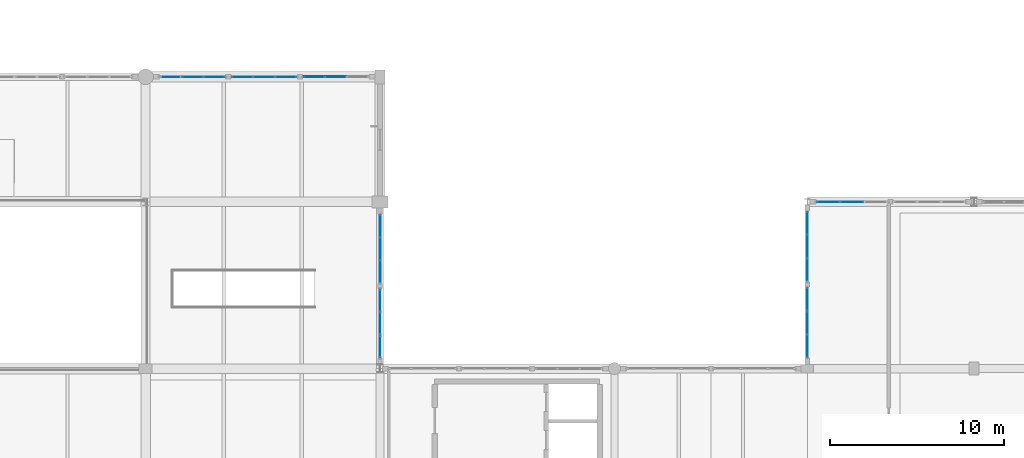
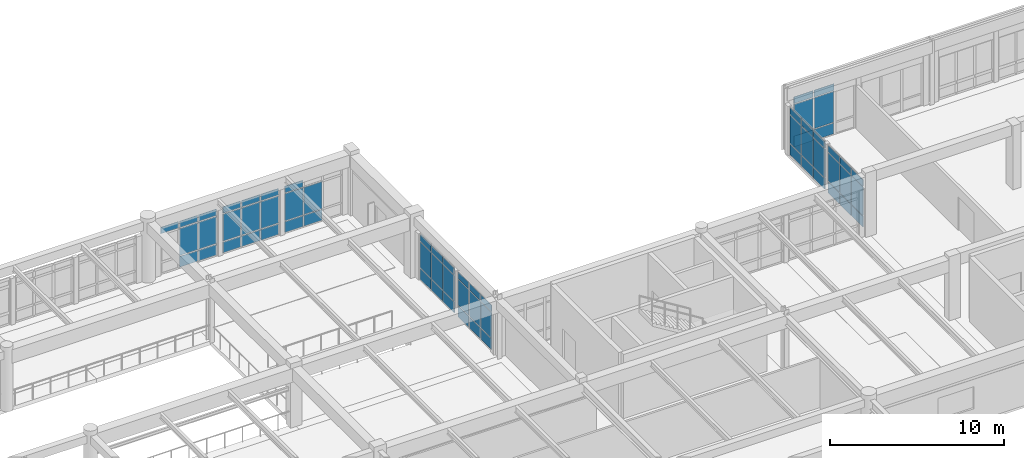
# One storey, part 55 of 80: 63 plates, 8 elements without a shape of their own.
"""IFC4 building model written with IfcOpenShell, lengths in metres."""

from ifc_helpers import new_model, si_unit, direction, frame, origin, origin_2d, place, context, subcontext, project, spatial, rectangle, extrude, material, layer, layer_set, type_object, element, aggregate, save


model = new_model("IFC4")

# Units and contexts
model_context = context("Model", 3, precision=1e-05, world=origin(), true_north=direction((0.0, 1.0)))
body_context = subcontext(model_context, "Body", "Model", "MODEL_VIEW")
ifc_project = project(units=[si_unit("LENGTHUNIT", "METRE"), si_unit("AREAUNIT", "SQUARE_METRE"), si_unit("VOLUMEUNIT", "CUBIC_METRE"), si_unit("PLANEANGLEUNIT", "RADIAN"), si_unit("MASSUNIT", "GRAM", prefix="KILO")], contexts=[model_context])

# Site, building, storey
site_placement = place(None, origin())
site = spatial("IfcSite", under=ifc_project, at=site_placement, CompositionType="ELEMENT")
building_placement = place(site_placement, origin())
building = spatial("IfcBuilding", under=site, at=building_placement, Name="Fikremerkos Civic Library", CompositionType="ELEMENT")
storey_placement = place(building_placement, frame((0.0, 0.0, 9.89990234375)))
storey = spatial("IfcBuildingStorey", under=building, at=storey_placement, Name="L02", CompositionType="ELEMENT", Elevation=9.89990234375)

# Curtain wall, plates
ifc_material_1 = material(Name="Anodized aluminium Frame", Category="aluminium")
ifc_layer_1 = layer(ifc_material_1, 0.159912109375, Name="Anodized aluminium Frame")
ifc_layer_set_1 = layer_set([ifc_layer_1], Name="Anodized aluminium Frame")
curtain_wall_type_1 = type_object("IfcCurtainWallType", Name="Unitised curtain wall CW-01 3600x3600", PredefinedType="USERDEFINED", material=ifc_layer_set_1)
curtain_wall_1_placement = place(storey_placement, origin())
curtain_wall_1 = element("IfcCurtainWall", 1, at=curtain_wall_1_placement, inside=storey, type_object=curtain_wall_type_1, Name="Unitised curtain wall CW-01 L02 #163", ObjectType="UNITISED CURTAIN WALL", PredefinedType="USERDEFINED")
ifc_material_2 = material(Name="Solar control double glazing", Category="glass")
ifc_layer_2 = layer(ifc_material_2, 0.028076171875, Name="Solar control double glazing")
ifc_layer_set_2 = layer_set([ifc_layer_2], Name="Solar control double glazing")
plate_type_1 = type_object("IfcPlateType", Name="Curtain glazing panel CWP-01 28", PredefinedType="CURTAIN_PANEL", material=ifc_layer_set_2)
plate_1_placement = place(storey_placement, frame((88.150634765625, 48.0, 2.84521484375), z_axis=(0.0, 0.0, 1.0), x_axis=(1.0, 0.0, 0.0)))
plate_1 = element("IfcPlate", 2, at=plate_1_placement, type_object=plate_type_1, Name="CW-01 panel 1.3", PredefinedType="CURTAIN_PANEL", context=body_context, shape_type="SweptSolid", body=[
    extrude(rectangle(XDim=1.175048828125, YDim=0.028076171875, at=origin_2d()), origin(), (0.0, 0.0, 1.0), 0.445068359375),
])
plate_2_placement = place(storey_placement, frame((89.406982421875, 48.0, 0.070068359375), z_axis=(0.0, 0.0, 1.0), x_axis=(1.0, 0.0, 0.0)))
plate_2 = element("IfcPlate", 3, at=plate_2_placement, type_object=plate_type_1, Name="CW-01 panel 2.1", PredefinedType="CURTAIN_PANEL", context=body_context, shape_type="SweptSolid", body=[
    extrude(rectangle(XDim=1.207763671875, YDim=0.028076171875, at=origin_2d()), origin(), (0.0, 0.0, 1.0), 0.7451171875),
])
plate_3_placement = place(storey_placement, frame((89.406982421875, 48.0, 0.88525390625), z_axis=(0.0, 0.0, 1.0), x_axis=(1.0, 0.0, 0.0)))
plate_3 = element("IfcPlate", 4, at=plate_3_placement, type_object=plate_type_1, Name="CW-01 panel 2.2", PredefinedType="CURTAIN_PANEL", context=body_context, shape_type="SweptSolid", body=[
    extrude(rectangle(XDim=1.207763671875, YDim=0.028076171875, at=origin_2d()), origin(), (0.0, 0.0, 1.0), 1.889892578125),
])
plate_4_placement = place(storey_placement, frame((89.406982421875, 48.0, 2.84521484375), z_axis=(0.0, 0.0, 1.0), x_axis=(1.0, 0.0, 0.0)))
plate_4 = element("IfcPlate", 5, at=plate_4_placement, type_object=plate_type_1, Name="CW-01 panel 2.3", PredefinedType="CURTAIN_PANEL", context=body_context, shape_type="SweptSolid", body=[
    extrude(rectangle(XDim=1.207763671875, YDim=0.028076171875, at=origin_2d()), origin(), (0.0, 0.0, 1.0), 0.445068359375),
])
plate_5_placement = place(storey_placement, frame((90.663330078125, 48.0, 0.070068359375), z_axis=(0.0, 0.0, 1.0), x_axis=(1.0, 0.0, 0.0)))
plate_5 = element("IfcPlate", 6, at=plate_5_placement, type_object=plate_type_1, Name="CW-01 panel 3.1", PredefinedType="CURTAIN_PANEL", context=body_context, shape_type="SweptSolid", body=[
    extrude(rectangle(XDim=1.175048828125, YDim=0.028076171875, at=origin_2d()), origin(), (0.0, 0.0, 1.0), 0.7451171875),
])
plate_6_placement = place(storey_placement, frame((90.663330078125, 48.0, 0.88525390625), z_axis=(0.0, 0.0, 1.0), x_axis=(1.0, 0.0, 0.0)))
plate_6 = element("IfcPlate", 7, at=plate_6_placement, type_object=plate_type_1, Name="CW-01 panel 3.2", PredefinedType="CURTAIN_PANEL", context=body_context, shape_type="SweptSolid", body=[
    extrude(rectangle(XDim=1.175048828125, YDim=0.028076171875, at=origin_2d()), origin(), (0.0, 0.0, 1.0), 1.889892578125),
])
plate_7_placement = place(storey_placement, frame((90.663330078125, 48.0, 2.84521484375), z_axis=(0.0, 0.0, 1.0), x_axis=(1.0, 0.0, 0.0)))
plate_7 = element("IfcPlate", 8, at=plate_7_placement, type_object=plate_type_1, Name="CW-01 panel 3.3", PredefinedType="CURTAIN_PANEL", context=body_context, shape_type="SweptSolid", body=[
    extrude(rectangle(XDim=1.175048828125, YDim=0.028076171875, at=origin_2d()), origin(), (0.0, 0.0, 1.0), 0.445068359375),
])
aggregate(curtain_wall_1, [plate_1, plate_2, plate_3, plate_4, plate_5, plate_6, plate_7])

ifc_layer_3 = layer(ifc_material_1, 0.159912109375, Name="Anodized aluminium Frame")
ifc_layer_set_3 = layer_set([ifc_layer_3], Name="Anodized aluminium Frame")
curtain_wall_type_2 = type_object("IfcCurtainWallType", Name="Unitised curtain wall CW-05 3800x4100", PredefinedType="USERDEFINED", material=ifc_layer_set_3)
curtain_wall_2_placement = place(storey_placement, origin())
curtain_wall_2 = element("IfcCurtainWall", 9, at=curtain_wall_2_placement, inside=storey, type_object=curtain_wall_type_2, Name="Unitised curtain wall CW-05 L02 #167", ObjectType="UNITISED CURTAIN WALL", PredefinedType="USERDEFINED")
plate_8_placement = place(storey_placement, frame((100.199951171875, 35.11669921875, 0.06005859375), z_axis=(0.0, 0.0, 1.0), x_axis=(0.0, -1.0, 0.0)))
plate_8 = element("IfcPlate", 10, at=plate_8_placement, type_object=plate_type_1, Name="CW-05 panel 1.1", PredefinedType="CURTAIN_PANEL", context=body_context, shape_type="SweptSolid", body=[
    extrude(rectangle(XDim=1.236572265625, YDim=0.028076171875, at=origin_2d()), origin(), (0.0, 0.0, 1.0), 0.760009765625),
])
plate_9_placement = place(storey_placement, frame((100.199951171875, 35.11669921875, 0.880126953125), z_axis=(0.0, 0.0, 1.0), x_axis=(0.0, -1.0, 0.0)))
plate_9 = element("IfcPlate", 11, at=plate_9_placement, type_object=plate_type_1, Name="CW-05 panel 1.2", PredefinedType="CURTAIN_PANEL", context=body_context, shape_type="SweptSolid", body=[
    extrude(rectangle(XDim=1.236572265625, YDim=0.028076171875, at=origin_2d()), origin(), (0.0, 0.0, 1.0), 1.7900390625),
])
plate_10_placement = place(storey_placement, frame((100.199951171875, 35.11669921875, 2.730224609375), z_axis=(0.0, 0.0, 1.0), x_axis=(0.0, -1.0, 0.0)))
plate_10 = element("IfcPlate", 12, at=plate_10_placement, type_object=plate_type_1, Name="CW-05 panel 1.3", PredefinedType="CURTAIN_PANEL", context=body_context, shape_type="SweptSolid", body=[
    extrude(rectangle(XDim=1.236572265625, YDim=0.028076171875, at=origin_2d()), origin(), (0.0, 0.0, 1.0), 0.4599609375),
])
plate_11_placement = place(storey_placement, frame((100.199951171875, 33.799072265625, 0.06005859375), z_axis=(0.0, 0.0, 1.0), x_axis=(0.0, -1.0, 0.0)))
plate_11 = element("IfcPlate", 13, at=plate_11_placement, type_object=plate_type_1, Name="CW-05 panel 2.1", PredefinedType="CURTAIN_PANEL", context=body_context, shape_type="SweptSolid", body=[
    extrude(rectangle(XDim=1.26904296875, YDim=0.028076171875, at=origin_2d()), origin(), (0.0, 0.0, 1.0), 0.760009765625),
])
plate_12_placement = place(storey_placement, frame((100.199951171875, 33.799072265625, 0.880126953125), z_axis=(0.0, 0.0, 1.0), x_axis=(0.0, -1.0, 0.0)))
plate_12 = element("IfcPlate", 14, at=plate_12_placement, type_object=plate_type_1, Name="CW-05 panel 2.2", PredefinedType="CURTAIN_PANEL", context=body_context, shape_type="SweptSolid", body=[
    extrude(rectangle(XDim=1.26904296875, YDim=0.028076171875, at=origin_2d()), origin(), (0.0, 0.0, 1.0), 1.7900390625),
])
plate_13_placement = place(storey_placement, frame((100.199951171875, 33.799072265625, 2.730224609375), z_axis=(0.0, 0.0, 1.0), x_axis=(0.0, -1.0, 0.0)))
plate_13 = element("IfcPlate", 15, at=plate_13_placement, type_object=plate_type_1, Name="CW-05 panel 2.3", PredefinedType="CURTAIN_PANEL", context=body_context, shape_type="SweptSolid", body=[
    extrude(rectangle(XDim=1.26904296875, YDim=0.028076171875, at=origin_2d()), origin(), (0.0, 0.0, 1.0), 0.4599609375),
])
plate_14_placement = place(storey_placement, frame((100.199951171875, 32.481201171875, 0.06005859375), z_axis=(0.0, 0.0, 1.0), x_axis=(0.0, -1.0, 0.0)))
plate_14 = element("IfcPlate", 16, at=plate_14_placement, type_object=plate_type_1, Name="CW-05 panel 3.1", PredefinedType="CURTAIN_PANEL", context=body_context, shape_type="SweptSolid", body=[
    extrude(rectangle(XDim=1.236572265625, YDim=0.028076171875, at=origin_2d()), origin(), (0.0, 0.0, 1.0), 0.760009765625),
])
plate_15_placement = place(storey_placement, frame((100.199951171875, 32.481201171875, 0.880126953125), z_axis=(0.0, 0.0, 1.0), x_axis=(0.0, -1.0, 0.0)))
plate_15 = element("IfcPlate", 17, at=plate_15_placement, type_object=plate_type_1, Name="CW-05 panel 3.2", PredefinedType="CURTAIN_PANEL", context=body_context, shape_type="SweptSolid", body=[
    extrude(rectangle(XDim=1.236572265625, YDim=0.028076171875, at=origin_2d()), origin(), (0.0, 0.0, 1.0), 1.7900390625),
])
plate_16_placement = place(storey_placement, frame((100.199951171875, 32.481201171875, 2.730224609375), z_axis=(0.0, 0.0, 1.0), x_axis=(0.0, -1.0, 0.0)))
plate_16 = element("IfcPlate", 18, at=plate_16_placement, type_object=plate_type_1, Name="CW-05 panel 3.3", PredefinedType="CURTAIN_PANEL", context=body_context, shape_type="SweptSolid", body=[
    extrude(rectangle(XDim=1.236572265625, YDim=0.028076171875, at=origin_2d()), origin(), (0.0, 0.0, 1.0), 0.4599609375),
])
aggregate(curtain_wall_2, [plate_8, plate_9, plate_10, plate_11, plate_12, plate_13, plate_14, plate_15, plate_16])

ifc_layer_4 = layer(ifc_material_1, 0.159912109375, Name="Anodized aluminium Frame")
ifc_layer_set_4 = layer_set([ifc_layer_4], Name="Anodized aluminium Frame")
curtain_wall_type_3 = type_object("IfcCurtainWallType", Name="Unitised curtain wall CW-13 3700x3200", PredefinedType="USERDEFINED", material=ifc_layer_set_4)
curtain_wall_3_placement = place(storey_placement, origin())
curtain_wall_3 = element("IfcCurtainWall", 19, at=curtain_wall_3_placement, inside=storey, type_object=curtain_wall_type_3, Name="Unitised curtain wall CW-13 L02 #175", ObjectType="UNITISED CURTAIN WALL", PredefinedType="USERDEFINED")
plate_17_placement = place(storey_placement, frame((126.00634765625, 40.800048828125, 0.06005859375), z_axis=(0.0, 0.0, 1.0), x_axis=(1.0, 0.0, 0.0)))
plate_17 = element("IfcPlate", 20, at=plate_17_placement, type_object=plate_type_1, Name="CW-13 panel 1.1", PredefinedType="CURTAIN_PANEL", context=body_context, shape_type="SweptSolid", body=[
    extrude(rectangle(XDim=1.28662109375, YDim=0.028076171875, at=origin_2d()), origin(), (0.0, 0.0, 1.0), 0.760009765625),
])
plate_18_placement = place(storey_placement, frame((126.00634765625, 40.800048828125, 0.88037109375), z_axis=(0.0, 0.0, 1.0), x_axis=(1.0, 0.0, 0.0)))
plate_18 = element("IfcPlate", 21, at=plate_18_placement, type_object=plate_type_1, Name="CW-13 panel 1.2", PredefinedType="CURTAIN_PANEL", context=body_context, shape_type="SweptSolid", body=[
    extrude(rectangle(XDim=1.28662109375, YDim=0.028076171875, at=origin_2d()), origin(), (0.0, 0.0, 1.0), 2.159912109375),
])
plate_19_placement = place(storey_placement, frame((126.00634765625, 40.800048828125, 3.10009765625), z_axis=(0.0, 0.0, 1.0), x_axis=(1.0, 0.0, 0.0)))
plate_19 = element("IfcPlate", 22, at=plate_19_placement, type_object=plate_type_1, Name="CW-13 panel 1.3", PredefinedType="CURTAIN_PANEL", context=body_context, shape_type="SweptSolid", body=[
    extrude(rectangle(XDim=1.28662109375, YDim=0.028076171875, at=origin_2d()), origin(), (0.0, 0.0, 1.0), 0.4599609375),
])
plate_20_placement = place(storey_placement, frame((127.3740234375, 40.800048828125, 0.06005859375), z_axis=(0.0, 0.0, 1.0), x_axis=(1.0, 0.0, 0.0)))
plate_20 = element("IfcPlate", 23, at=plate_20_placement, type_object=plate_type_1, Name="CW-13 panel 2.1", PredefinedType="CURTAIN_PANEL", context=body_context, shape_type="SweptSolid", body=[
    extrude(rectangle(XDim=1.319091796875, YDim=0.028076171875, at=origin_2d()), origin(), (0.0, 0.0, 1.0), 0.760009765625),
])
plate_21_placement = place(storey_placement, frame((127.3740234375, 40.800048828125, 0.88037109375), z_axis=(0.0, 0.0, 1.0), x_axis=(1.0, 0.0, 0.0)))
plate_21 = element("IfcPlate", 24, at=plate_21_placement, type_object=plate_type_1, Name="CW-13 panel 2.2", PredefinedType="CURTAIN_PANEL", context=body_context, shape_type="SweptSolid", body=[
    extrude(rectangle(XDim=1.319091796875, YDim=0.028076171875, at=origin_2d()), origin(), (0.0, 0.0, 1.0), 2.159912109375),
])
plate_22_placement = place(storey_placement, frame((127.3740234375, 40.800048828125, 3.10009765625), z_axis=(0.0, 0.0, 1.0), x_axis=(1.0, 0.0, 0.0)))
plate_22 = element("IfcPlate", 25, at=plate_22_placement, type_object=plate_type_1, Name="CW-13 panel 2.3", PredefinedType="CURTAIN_PANEL", context=body_context, shape_type="SweptSolid", body=[
    extrude(rectangle(XDim=1.319091796875, YDim=0.028076171875, at=origin_2d()), origin(), (0.0, 0.0, 1.0), 0.4599609375),
])
aggregate(curtain_wall_3, [plate_17, plate_18, plate_19, plate_20, plate_21, plate_22])

ifc_layer_5 = layer(ifc_material_1, 0.159912109375, Name="Anodized aluminium Frame")
ifc_layer_set_5 = layer_set([ifc_layer_5], Name="Anodized aluminium Frame")
curtain_wall_type_4 = type_object("IfcCurtainWallType", Name="Unitised curtain wall CW-02 3900x3600", PredefinedType="USERDEFINED", material=ifc_layer_set_5)
curtain_wall_4_placement = place(storey_placement, origin())
curtain_wall_4 = element("IfcCurtainWall", 26, at=curtain_wall_4_placement, inside=storey, type_object=curtain_wall_type_4, Name="Unitised curtain wall CW-02 L02 #164", ObjectType="UNITISED CURTAIN WALL", PredefinedType="USERDEFINED")
ifc_layer_6 = layer(ifc_material_2, 0.035888671875, Name="Solar control double glazing")
ifc_layer_set_6 = layer_set([ifc_layer_6], Name="Solar control double glazing")
plate_type_2 = type_object("IfcPlateType", Name="Curtain glazing panel CWP-02 36", PredefinedType="CURTAIN_PANEL", material=ifc_layer_set_6)
plate_23_placement = place(storey_placement, frame((92.267333984375, 48.0, 0.070068359375), z_axis=(0.0, 0.0, 1.0), x_axis=(1.0, 0.0, 0.0)))
plate_23 = element("IfcPlate", 27, at=plate_23_placement, type_object=plate_type_2, Name="CW-02 panel 1.1", PredefinedType="CURTAIN_PANEL", context=body_context, shape_type="SweptSolid", body=[
    extrude(rectangle(XDim=1.1826171875, YDim=0.035888671875, at=origin_2d()), origin(), (0.0, 0.0, 1.0), 0.7451171875),
])
plate_24_placement = place(storey_placement, frame((92.267333984375, 48.0, 0.88525390625), z_axis=(0.0, 0.0, 1.0), x_axis=(1.0, 0.0, 0.0)))
plate_24 = element("IfcPlate", 28, at=plate_24_placement, type_object=plate_type_2, Name="CW-02 panel 1.2", PredefinedType="CURTAIN_PANEL", context=body_context, shape_type="SweptSolid", body=[
    extrude(rectangle(XDim=1.1826171875, YDim=0.035888671875, at=origin_2d()), origin(), (0.0, 0.0, 1.0), 1.889892578125),
])
plate_25_placement = place(storey_placement, frame((92.267333984375, 48.0, 2.84521484375), z_axis=(0.0, 0.0, 1.0), x_axis=(1.0, 0.0, 0.0)))
plate_25 = element("IfcPlate", 29, at=plate_25_placement, type_object=plate_type_2, Name="CW-02 panel 1.3", PredefinedType="CURTAIN_PANEL", context=body_context, shape_type="SweptSolid", body=[
    extrude(rectangle(XDim=1.1826171875, YDim=0.035888671875, at=origin_2d()), origin(), (0.0, 0.0, 1.0), 0.445068359375),
])
plate_26_placement = place(storey_placement, frame((93.52490234375, 48.0, 0.070068359375), z_axis=(0.0, 0.0, 1.0), x_axis=(1.0, 0.0, 0.0)))
plate_26 = element("IfcPlate", 30, at=plate_26_placement, type_object=plate_type_2, Name="CW-02 panel 2.1", PredefinedType="CURTAIN_PANEL", context=body_context, shape_type="SweptSolid", body=[
    extrude(rectangle(XDim=1.212646484375, YDim=0.035888671875, at=origin_2d()), origin(), (0.0, 0.0, 1.0), 0.7451171875),
])
plate_27_placement = place(storey_placement, frame((93.52490234375, 48.0, 0.88525390625), z_axis=(0.0, 0.0, 1.0), x_axis=(1.0, 0.0, 0.0)))
plate_27 = element("IfcPlate", 31, at=plate_27_placement, type_object=plate_type_2, Name="CW-02 panel 2.2", PredefinedType="CURTAIN_PANEL", context=body_context, shape_type="SweptSolid", body=[
    extrude(rectangle(XDim=1.212646484375, YDim=0.035888671875, at=origin_2d()), origin(), (0.0, 0.0, 1.0), 1.889892578125),
])
plate_28_placement = place(storey_placement, frame((93.52490234375, 48.0, 2.84521484375), z_axis=(0.0, 0.0, 1.0), x_axis=(1.0, 0.0, 0.0)))
plate_28 = element("IfcPlate", 32, at=plate_28_placement, type_object=plate_type_2, Name="CW-02 panel 2.3", PredefinedType="CURTAIN_PANEL", context=body_context, shape_type="SweptSolid", body=[
    extrude(rectangle(XDim=1.212646484375, YDim=0.035888671875, at=origin_2d()), origin(), (0.0, 0.0, 1.0), 0.445068359375),
])
plate_29_placement = place(storey_placement, frame((94.78271484375, 48.0, 0.070068359375), z_axis=(0.0, 0.0, 1.0), x_axis=(1.0, 0.0, 0.0)))
plate_29 = element("IfcPlate", 33, at=plate_29_placement, type_object=plate_type_2, Name="CW-02 panel 3.1", PredefinedType="CURTAIN_PANEL", context=body_context, shape_type="SweptSolid", body=[
    extrude(rectangle(XDim=1.1826171875, YDim=0.035888671875, at=origin_2d()), origin(), (0.0, 0.0, 1.0), 0.7451171875),
])
plate_30_placement = place(storey_placement, frame((94.78271484375, 48.0, 0.88525390625), z_axis=(0.0, 0.0, 1.0), x_axis=(1.0, 0.0, 0.0)))
plate_30 = element("IfcPlate", 34, at=plate_30_placement, type_object=plate_type_2, Name="CW-02 panel 3.2", PredefinedType="CURTAIN_PANEL", context=body_context, shape_type="SweptSolid", body=[
    extrude(rectangle(XDim=1.1826171875, YDim=0.035888671875, at=origin_2d()), origin(), (0.0, 0.0, 1.0), 1.889892578125),
])
plate_31_placement = place(storey_placement, frame((94.78271484375, 48.0, 2.84521484375), z_axis=(0.0, 0.0, 1.0), x_axis=(1.0, 0.0, 0.0)))
plate_31 = element("IfcPlate", 35, at=plate_31_placement, type_object=plate_type_2, Name="CW-02 panel 3.3", PredefinedType="CURTAIN_PANEL", context=body_context, shape_type="SweptSolid", body=[
    extrude(rectangle(XDim=1.1826171875, YDim=0.035888671875, at=origin_2d()), origin(), (0.0, 0.0, 1.0), 0.445068359375),
])
aggregate(curtain_wall_4, [plate_23, plate_24, plate_25, plate_26, plate_27, plate_28, plate_29, plate_30, plate_31])

ifc_layer_7 = layer(ifc_material_1, 0.159912109375, Name="Anodized aluminium Frame")
ifc_layer_set_7 = layer_set([ifc_layer_7], Name="Anodized aluminium Frame")
curtain_wall_type_5 = type_object("IfcCurtainWallType", Name="Unitised curtain wall CW-03 4100x3600", PredefinedType="USERDEFINED", material=ifc_layer_set_7)
curtain_wall_5_placement = place(storey_placement, origin())
curtain_wall_5 = element("IfcCurtainWall", 36, at=curtain_wall_5_placement, inside=storey, type_object=curtain_wall_type_5, Name="Unitised curtain wall CW-03 L02 #165", ObjectType="UNITISED CURTAIN WALL", PredefinedType="USERDEFINED")
ifc_material_3 = material(Name="Insulated aluminium spandrel", Category="aluminium")
ifc_layer_8 = layer(ifc_material_3, 0.044921875, Name="Insulated aluminium spandrel")
ifc_layer_set_8 = layer_set([ifc_layer_8], Name="Insulated aluminium spandrel")
plate_type_3 = type_object("IfcPlateType", Name="Curtain spandrel panel CSP-01 45", PredefinedType="CURTAIN_PANEL", material=ifc_layer_set_8)
plate_32_placement = place(storey_placement, frame((96.38525390625, 48.0, 0.065185546875), z_axis=(0.0, 0.0, 1.0), x_axis=(1.0, 0.0, 0.0)))
plate_32 = element("IfcPlate", 37, at=plate_32_placement, type_object=plate_type_3, Name="CW-03 panel 1.1", PredefinedType="CURTAIN_PANEL", context=body_context, shape_type="SweptSolid", body=[
    extrude(rectangle(XDim=1.1826171875, YDim=0.044921875, at=origin_2d()), origin(), (0.0, 0.0, 1.0), 0.75244140625),
])
plate_33_placement = place(storey_placement, frame((96.38525390625, 48.0, 0.882568359375), z_axis=(0.0, 0.0, 1.0), x_axis=(1.0, 0.0, 0.0)))
plate_33 = element("IfcPlate", 38, at=plate_33_placement, type_object=plate_type_3, Name="CW-03 panel 1.2", PredefinedType="CURTAIN_PANEL", context=body_context, shape_type="SweptSolid", body=[
    extrude(rectangle(XDim=1.1826171875, YDim=0.044921875, at=origin_2d()), origin(), (0.0, 0.0, 1.0), 1.89501953125),
])
plate_34_placement = place(storey_placement, frame((96.38525390625, 48.0, 2.8427734375), z_axis=(0.0, 0.0, 1.0), x_axis=(1.0, 0.0, 0.0)))
plate_34 = element("IfcPlate", 39, at=plate_34_placement, type_object=plate_type_3, Name="CW-03 panel 1.3", PredefinedType="CURTAIN_PANEL", context=body_context, shape_type="SweptSolid", body=[
    extrude(rectangle(XDim=1.1826171875, YDim=0.044921875, at=origin_2d()), origin(), (0.0, 0.0, 1.0), 0.452392578125),
])
plate_35_placement = place(storey_placement, frame((97.64306640625, 48.0, 0.065185546875), z_axis=(0.0, 0.0, 1.0), x_axis=(1.0, 0.0, 0.0)))
plate_35 = element("IfcPlate", 40, at=plate_35_placement, type_object=plate_type_3, Name="CW-03 panel 2.1", PredefinedType="CURTAIN_PANEL", context=body_context, shape_type="SweptSolid", body=[
    extrude(rectangle(XDim=1.212646484375, YDim=0.044921875, at=origin_2d()), origin(), (0.0, 0.0, 1.0), 0.75244140625),
])
plate_36_placement = place(storey_placement, frame((97.64306640625, 48.0, 0.882568359375), z_axis=(0.0, 0.0, 1.0), x_axis=(1.0, 0.0, 0.0)))
plate_36 = element("IfcPlate", 41, at=plate_36_placement, type_object=plate_type_3, Name="CW-03 panel 2.2", PredefinedType="CURTAIN_PANEL", context=body_context, shape_type="SweptSolid", body=[
    extrude(rectangle(XDim=1.212646484375, YDim=0.044921875, at=origin_2d()), origin(), (0.0, 0.0, 1.0), 1.89501953125),
])
aggregate(curtain_wall_5, [plate_32, plate_33, plate_34, plate_35, plate_36])

ifc_layer_9 = layer(ifc_material_1, 0.159912109375, Name="Anodized aluminium Frame")
ifc_layer_set_9 = layer_set([ifc_layer_9], Name="Anodized aluminium Frame")
curtain_wall_type_6 = type_object("IfcCurtainWallType", Name="Unitised curtain wall CW-11 3200x3400", PredefinedType="USERDEFINED", material=ifc_layer_set_9)
curtain_wall_6_placement = place(storey_placement, origin())
curtain_wall_6 = element("IfcCurtainWall", 42, at=curtain_wall_6_placement, inside=storey, type_object=curtain_wall_type_6, Name="Unitised curtain wall CW-11 L02 #173", ObjectType="UNITISED CURTAIN WALL", PredefinedType="USERDEFINED")
plate_37_placement = place(storey_placement, frame((124.800048828125, 32.494140625, 0.065185546875), z_axis=(0.0, 0.0, 1.0), x_axis=(0.0, 1.0, 0.0)))
plate_37 = element("IfcPlate", 43, at=plate_37_placement, type_object=plate_type_3, Name="CW-11 panel 1.1", PredefinedType="CURTAIN_PANEL", context=body_context, shape_type="SweptSolid", body=[
    extrude(rectangle(XDim=1.272216796875, YDim=0.044921875, at=origin_2d()), origin(), (0.0, 0.0, 1.0), 0.75244140625),
])
plate_38_placement = place(storey_placement, frame((124.800048828125, 32.494140625, 0.88232421875), z_axis=(0.0, 0.0, 1.0), x_axis=(0.0, 1.0, 0.0)))
plate_38 = element("IfcPlate", 44, at=plate_38_placement, type_object=plate_type_3, Name="CW-11 panel 1.2", PredefinedType="CURTAIN_PANEL", context=body_context, shape_type="SweptSolid", body=[
    extrude(rectangle(XDim=1.272216796875, YDim=0.044921875, at=origin_2d()), origin(), (0.0, 0.0, 1.0), 1.985107421875),
])
plate_39_placement = place(storey_placement, frame((124.800048828125, 32.494140625, 2.9326171875), z_axis=(0.0, 0.0, 1.0), x_axis=(0.0, 1.0, 0.0)))
plate_39 = element("IfcPlate", 45, at=plate_39_placement, type_object=plate_type_3, Name="CW-11 panel 1.3", PredefinedType="CURTAIN_PANEL", context=body_context, shape_type="SweptSolid", body=[
    extrude(rectangle(XDim=1.272216796875, YDim=0.044921875, at=origin_2d()), origin(), (0.0, 0.0, 1.0), 0.452392578125),
])
plate_40_placement = place(storey_placement, frame((124.800048828125, 33.841552734375, 0.065185546875), z_axis=(0.0, 0.0, 1.0), x_axis=(0.0, 1.0, 0.0)))
plate_40 = element("IfcPlate", 46, at=plate_40_placement, type_object=plate_type_3, Name="CW-11 panel 2.1", PredefinedType="CURTAIN_PANEL", context=body_context, shape_type="SweptSolid", body=[
    extrude(rectangle(XDim=1.30224609375, YDim=0.044921875, at=origin_2d()), origin(), (0.0, 0.0, 1.0), 0.75244140625),
])
plate_41_placement = place(storey_placement, frame((124.800048828125, 33.841552734375, 0.88232421875), z_axis=(0.0, 0.0, 1.0), x_axis=(0.0, 1.0, 0.0)))
plate_41 = element("IfcPlate", 47, at=plate_41_placement, type_object=plate_type_3, Name="CW-11 panel 2.2", PredefinedType="CURTAIN_PANEL", context=body_context, shape_type="SweptSolid", body=[
    extrude(rectangle(XDim=1.30224609375, YDim=0.044921875, at=origin_2d()), origin(), (0.0, 0.0, 1.0), 1.985107421875),
])
plate_42_placement = place(storey_placement, frame((124.800048828125, 33.841552734375, 2.9326171875), z_axis=(0.0, 0.0, 1.0), x_axis=(0.0, 1.0, 0.0)))
plate_42 = element("IfcPlate", 48, at=plate_42_placement, type_object=plate_type_3, Name="CW-11 panel 2.3", PredefinedType="CURTAIN_PANEL", context=body_context, shape_type="SweptSolid", body=[
    extrude(rectangle(XDim=1.30224609375, YDim=0.044921875, at=origin_2d()), origin(), (0.0, 0.0, 1.0), 0.452392578125),
])
plate_43_placement = place(storey_placement, frame((124.800048828125, 35.188720703125, 0.065185546875), z_axis=(0.0, 0.0, 1.0), x_axis=(0.0, 1.0, 0.0)))
plate_43 = element("IfcPlate", 49, at=plate_43_placement, type_object=plate_type_3, Name="CW-11 panel 3.1", PredefinedType="CURTAIN_PANEL", context=body_context, shape_type="SweptSolid", body=[
    extrude(rectangle(XDim=1.272216796875, YDim=0.044921875, at=origin_2d()), origin(), (0.0, 0.0, 1.0), 0.75244140625),
])
plate_44_placement = place(storey_placement, frame((124.800048828125, 35.188720703125, 0.88232421875), z_axis=(0.0, 0.0, 1.0), x_axis=(0.0, 1.0, 0.0)))
plate_44 = element("IfcPlate", 50, at=plate_44_placement, type_object=plate_type_3, Name="CW-11 panel 3.2", PredefinedType="CURTAIN_PANEL", context=body_context, shape_type="SweptSolid", body=[
    extrude(rectangle(XDim=1.272216796875, YDim=0.044921875, at=origin_2d()), origin(), (0.0, 0.0, 1.0), 1.985107421875),
])
plate_45_placement = place(storey_placement, frame((124.800048828125, 35.188720703125, 2.9326171875), z_axis=(0.0, 0.0, 1.0), x_axis=(0.0, 1.0, 0.0)))
plate_45 = element("IfcPlate", 51, at=plate_45_placement, type_object=plate_type_3, Name="CW-11 panel 3.3", PredefinedType="CURTAIN_PANEL", context=body_context, shape_type="SweptSolid", body=[
    extrude(rectangle(XDim=1.272216796875, YDim=0.044921875, at=origin_2d()), origin(), (0.0, 0.0, 1.0), 0.452392578125),
])
aggregate(curtain_wall_6, [plate_37, plate_38, plate_39, plate_40, plate_41, plate_42, plate_43, plate_44, plate_45])

ifc_layer_10 = layer(ifc_material_1, 0.159912109375, Name="Anodized aluminium Frame")
ifc_layer_set_10 = layer_set([ifc_layer_10], Name="Anodized aluminium Frame")
curtain_wall_type_7 = type_object("IfcCurtainWallType", Name="Unitised curtain wall CW-04 3400x3600", PredefinedType="USERDEFINED", material=ifc_layer_set_10)
curtain_wall_7_placement = place(storey_placement, origin())
curtain_wall_7 = element("IfcCurtainWall", 52, at=curtain_wall_7_placement, inside=storey, type_object=curtain_wall_type_7, Name="Unitised curtain wall CW-04 L02 #166", ObjectType="UNITISED CURTAIN WALL", PredefinedType="USERDEFINED")
ifc_layer_11 = layer(ifc_material_3, 0.054931640625, Name="Insulated aluminium spandrel")
ifc_layer_set_11 = layer_set([ifc_layer_11], Name="Insulated aluminium spandrel")
plate_type_4 = type_object("IfcPlateType", Name="Curtain spandrel panel CSP-02 55", PredefinedType="CURTAIN_PANEL", material=ifc_layer_set_11)
plate_46_placement = place(storey_placement, frame((100.199951171875, 39.419921875, 0.065185546875), z_axis=(0.0, 0.0, 1.0), x_axis=(0.0, -1.0, 0.0)))
plate_46 = element("IfcPlate", 53, at=plate_46_placement, type_object=plate_type_4, Name="CW-04 panel 1.1", PredefinedType="CURTAIN_PANEL", context=body_context, shape_type="SweptSolid", body=[
    extrude(rectangle(XDim=1.243896484375, YDim=0.054931640625, at=origin_2d()), origin(), (0.0, 0.0, 1.0), 0.75244140625),
])
plate_47_placement = place(storey_placement, frame((100.199951171875, 39.419921875, 0.8828125), z_axis=(0.0, 0.0, 1.0), x_axis=(0.0, -1.0, 0.0)))
plate_47 = element("IfcPlate", 54, at=plate_47_placement, type_object=plate_type_4, Name="CW-04 panel 1.2", PredefinedType="CURTAIN_PANEL", context=body_context, shape_type="SweptSolid", body=[
    extrude(rectangle(XDim=1.243896484375, YDim=0.054931640625, at=origin_2d()), origin(), (0.0, 0.0, 1.0), 1.784912109375),
])
plate_48_placement = place(storey_placement, frame((100.199951171875, 39.419921875, 2.732421875), z_axis=(0.0, 0.0, 1.0), x_axis=(0.0, -1.0, 0.0)))
plate_48 = element("IfcPlate", 55, at=plate_48_placement, type_object=plate_type_4, Name="CW-04 panel 1.3", PredefinedType="CURTAIN_PANEL", context=body_context, shape_type="SweptSolid", body=[
    extrude(rectangle(XDim=1.243896484375, YDim=0.054931640625, at=origin_2d()), origin(), (0.0, 0.0, 1.0), 0.452392578125),
])
plate_49_placement = place(storey_placement, frame((100.199951171875, 38.10107421875, 0.065185546875), z_axis=(0.0, 0.0, 1.0), x_axis=(0.0, -1.0, 0.0)))
plate_49 = element("IfcPlate", 56, at=plate_49_placement, type_object=plate_type_4, Name="CW-04 panel 2.1", PredefinedType="CURTAIN_PANEL", context=body_context, shape_type="SweptSolid", body=[
    extrude(rectangle(XDim=1.27392578125, YDim=0.054931640625, at=origin_2d()), origin(), (0.0, 0.0, 1.0), 0.75244140625),
])
plate_50_placement = place(storey_placement, frame((100.199951171875, 38.10107421875, 0.8828125), z_axis=(0.0, 0.0, 1.0), x_axis=(0.0, -1.0, 0.0)))
plate_50 = element("IfcPlate", 57, at=plate_50_placement, type_object=plate_type_4, Name="CW-04 panel 2.2", PredefinedType="CURTAIN_PANEL", context=body_context, shape_type="SweptSolid", body=[
    extrude(rectangle(XDim=1.27392578125, YDim=0.054931640625, at=origin_2d()), origin(), (0.0, 0.0, 1.0), 1.784912109375),
])
plate_51_placement = place(storey_placement, frame((100.199951171875, 38.10107421875, 2.732421875), z_axis=(0.0, 0.0, 1.0), x_axis=(0.0, -1.0, 0.0)))
plate_51 = element("IfcPlate", 58, at=plate_51_placement, type_object=plate_type_4, Name="CW-04 panel 2.3", PredefinedType="CURTAIN_PANEL", context=body_context, shape_type="SweptSolid", body=[
    extrude(rectangle(XDim=1.27392578125, YDim=0.054931640625, at=origin_2d()), origin(), (0.0, 0.0, 1.0), 0.452392578125),
])
plate_52_placement = place(storey_placement, frame((100.199951171875, 36.781982421875, 0.065185546875), z_axis=(0.0, 0.0, 1.0), x_axis=(0.0, -1.0, 0.0)))
plate_52 = element("IfcPlate", 59, at=plate_52_placement, type_object=plate_type_4, Name="CW-04 panel 3.1", PredefinedType="CURTAIN_PANEL", context=body_context, shape_type="SweptSolid", body=[
    extrude(rectangle(XDim=1.243896484375, YDim=0.054931640625, at=origin_2d()), origin(), (0.0, 0.0, 1.0), 0.75244140625),
])
plate_53_placement = place(storey_placement, frame((100.199951171875, 36.781982421875, 0.8828125), z_axis=(0.0, 0.0, 1.0), x_axis=(0.0, -1.0, 0.0)))
plate_53 = element("IfcPlate", 60, at=plate_53_placement, type_object=plate_type_4, Name="CW-04 panel 3.2", PredefinedType="CURTAIN_PANEL", context=body_context, shape_type="SweptSolid", body=[
    extrude(rectangle(XDim=1.243896484375, YDim=0.054931640625, at=origin_2d()), origin(), (0.0, 0.0, 1.0), 1.784912109375),
])
plate_54_placement = place(storey_placement, frame((100.199951171875, 36.781982421875, 2.732421875), z_axis=(0.0, 0.0, 1.0), x_axis=(0.0, -1.0, 0.0)))
plate_54 = element("IfcPlate", 61, at=plate_54_placement, type_object=plate_type_4, Name="CW-04 panel 3.3", PredefinedType="CURTAIN_PANEL", context=body_context, shape_type="SweptSolid", body=[
    extrude(rectangle(XDim=1.243896484375, YDim=0.054931640625, at=origin_2d()), origin(), (0.0, 0.0, 1.0), 0.452392578125),
])
aggregate(curtain_wall_7, [plate_46, plate_47, plate_48, plate_49, plate_50, plate_51, plate_52, plate_53, plate_54])

ifc_layer_12 = layer(ifc_material_1, 0.159912109375, Name="Anodized aluminium Frame")
ifc_layer_set_12 = layer_set([ifc_layer_12], Name="Anodized aluminium Frame")
curtain_wall_type_8 = type_object("IfcCurtainWallType", Name="Unitised curtain wall CW-12 4300x3400", PredefinedType="USERDEFINED", material=ifc_layer_set_12)
curtain_wall_8_placement = place(storey_placement, origin())
curtain_wall_8 = element("IfcCurtainWall", 62, at=curtain_wall_8_placement, inside=storey, type_object=curtain_wall_type_8, Name="Unitised curtain wall CW-12 L02 #174", ObjectType="UNITISED CURTAIN WALL", PredefinedType="USERDEFINED")
plate_55_placement = place(storey_placement, frame((124.800048828125, 36.881103515625, 0.065185546875), z_axis=(0.0, 0.0, 1.0), x_axis=(0.0, 1.0, 0.0)))
plate_55 = element("IfcPlate", 63, at=plate_55_placement, type_object=plate_type_4, Name="CW-12 panel 1.1", PredefinedType="CURTAIN_PANEL", context=body_context, shape_type="SweptSolid", body=[
    extrude(rectangle(XDim=1.272216796875, YDim=0.054931640625, at=origin_2d()), origin(), (0.0, 0.0, 1.0), 0.75244140625),
])
plate_56_placement = place(storey_placement, frame((124.800048828125, 36.881103515625, 0.88232421875), z_axis=(0.0, 0.0, 1.0), x_axis=(0.0, 1.0, 0.0)))
plate_56 = element("IfcPlate", 64, at=plate_56_placement, type_object=plate_type_4, Name="CW-12 panel 1.2", PredefinedType="CURTAIN_PANEL", context=body_context, shape_type="SweptSolid", body=[
    extrude(rectangle(XDim=1.272216796875, YDim=0.054931640625, at=origin_2d()), origin(), (0.0, 0.0, 1.0), 1.985107421875),
])
plate_57_placement = place(storey_placement, frame((124.800048828125, 36.881103515625, 2.9326171875), z_axis=(0.0, 0.0, 1.0), x_axis=(0.0, 1.0, 0.0)))
plate_57 = element("IfcPlate", 65, at=plate_57_placement, type_object=plate_type_4, Name="CW-12 panel 1.3", PredefinedType="CURTAIN_PANEL", context=body_context, shape_type="SweptSolid", body=[
    extrude(rectangle(XDim=1.272216796875, YDim=0.054931640625, at=origin_2d()), origin(), (0.0, 0.0, 1.0), 0.452392578125),
])
plate_58_placement = place(storey_placement, frame((124.800048828125, 38.228515625, 0.065185546875), z_axis=(0.0, 0.0, 1.0), x_axis=(0.0, 1.0, 0.0)))
plate_58 = element("IfcPlate", 66, at=plate_58_placement, type_object=plate_type_4, Name="CW-12 panel 2.1", PredefinedType="CURTAIN_PANEL", context=body_context, shape_type="SweptSolid", body=[
    extrude(rectangle(XDim=1.30224609375, YDim=0.054931640625, at=origin_2d()), origin(), (0.0, 0.0, 1.0), 0.75244140625),
])
plate_59_placement = place(storey_placement, frame((124.800048828125, 38.228515625, 0.88232421875), z_axis=(0.0, 0.0, 1.0), x_axis=(0.0, 1.0, 0.0)))
plate_59 = element("IfcPlate", 67, at=plate_59_placement, type_object=plate_type_4, Name="CW-12 panel 2.2", PredefinedType="CURTAIN_PANEL", context=body_context, shape_type="SweptSolid", body=[
    extrude(rectangle(XDim=1.30224609375, YDim=0.054931640625, at=origin_2d()), origin(), (0.0, 0.0, 1.0), 1.985107421875),
])
plate_60_placement = place(storey_placement, frame((124.800048828125, 38.228515625, 2.9326171875), z_axis=(0.0, 0.0, 1.0), x_axis=(0.0, 1.0, 0.0)))
plate_60 = element("IfcPlate", 68, at=plate_60_placement, type_object=plate_type_4, Name="CW-12 panel 2.3", PredefinedType="CURTAIN_PANEL", context=body_context, shape_type="SweptSolid", body=[
    extrude(rectangle(XDim=1.30224609375, YDim=0.054931640625, at=origin_2d()), origin(), (0.0, 0.0, 1.0), 0.452392578125),
])
plate_61_placement = place(storey_placement, frame((124.800048828125, 39.575927734375, 0.065185546875), z_axis=(0.0, 0.0, 1.0), x_axis=(0.0, 1.0, 0.0)))
plate_61 = element("IfcPlate", 69, at=plate_61_placement, type_object=plate_type_4, Name="CW-12 panel 3.1", PredefinedType="CURTAIN_PANEL", context=body_context, shape_type="SweptSolid", body=[
    extrude(rectangle(XDim=1.272216796875, YDim=0.054931640625, at=origin_2d()), origin(), (0.0, 0.0, 1.0), 0.75244140625),
])
plate_62_placement = place(storey_placement, frame((124.800048828125, 39.575927734375, 0.88232421875), z_axis=(0.0, 0.0, 1.0), x_axis=(0.0, 1.0, 0.0)))
plate_62 = element("IfcPlate", 70, at=plate_62_placement, type_object=plate_type_4, Name="CW-12 panel 3.2", PredefinedType="CURTAIN_PANEL", context=body_context, shape_type="SweptSolid", body=[
    extrude(rectangle(XDim=1.272216796875, YDim=0.054931640625, at=origin_2d()), origin(), (0.0, 0.0, 1.0), 1.985107421875),
])
plate_63_placement = place(storey_placement, frame((124.800048828125, 39.575927734375, 2.9326171875), z_axis=(0.0, 0.0, 1.0), x_axis=(0.0, 1.0, 0.0)))
plate_63 = element("IfcPlate", 71, at=plate_63_placement, type_object=plate_type_4, Name="CW-12 panel 3.3", PredefinedType="CURTAIN_PANEL", context=body_context, shape_type="SweptSolid", body=[
    extrude(rectangle(XDim=1.272216796875, YDim=0.054931640625, at=origin_2d()), origin(), (0.0, 0.0, 1.0), 0.452392578125),
])
aggregate(curtain_wall_8, [plate_55, plate_56, plate_57, plate_58, plate_59, plate_60, plate_61, plate_62, plate_63])

save(model, "model.ifc")
